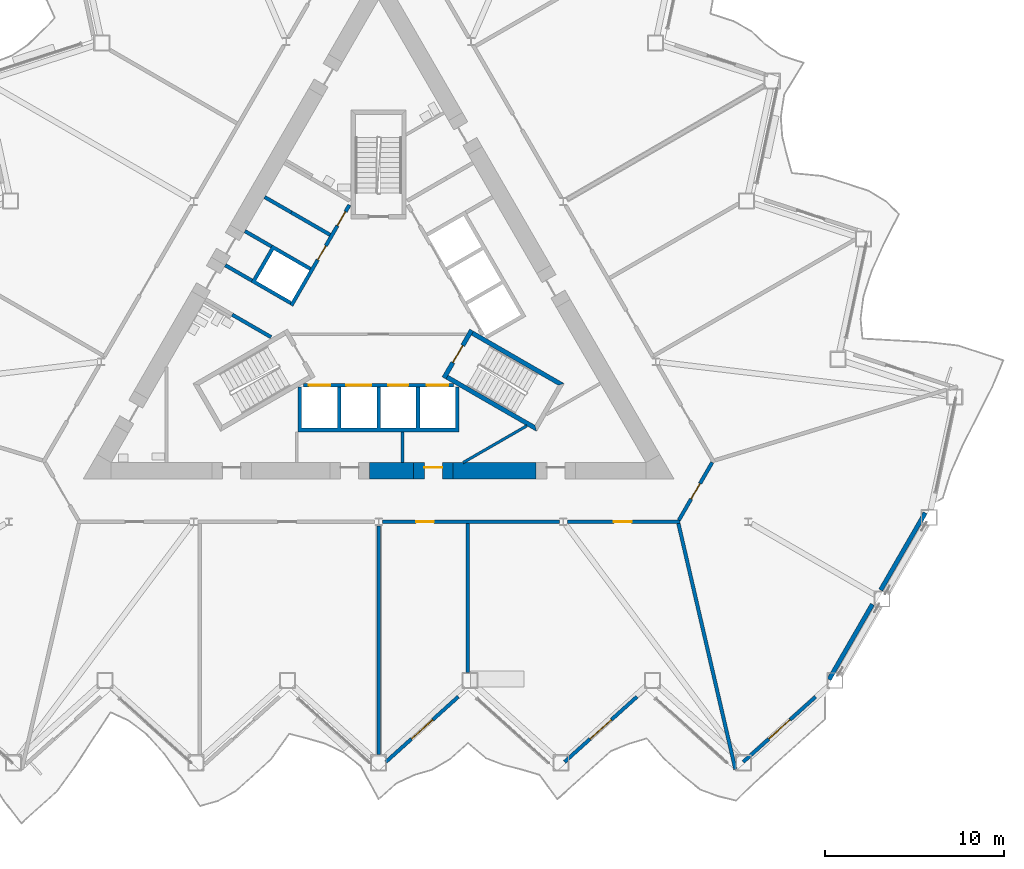
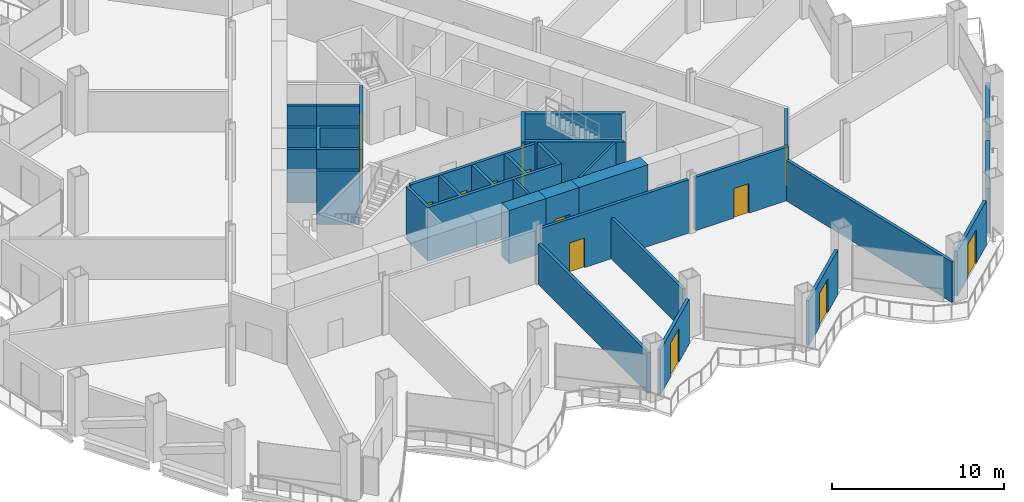
# One storey, part 11 of 21: 28 walls, 14 doors, 14 openings.
"""IFC4 building model written with IfcOpenShell, lengths in metres."""

from ifc_helpers import new_model, si_unit, direction, frame, frame_2d, origin, place, context, subcontext, project, spatial, polyline, rectangle, outline, extrude, material, layer, layer_set, type_object, element, fill, save


model = new_model("IFC4")

# Units and contexts
model_context = context("Model", 3, precision=1e-05, world=origin(), true_north=direction((0.0, 1.0)))
body_context = subcontext(model_context, "Body", "Model", "MODEL_VIEW")
ifc_project = project(units=[si_unit("LENGTHUNIT", "METRE"), si_unit("AREAUNIT", "SQUARE_METRE"), si_unit("VOLUMEUNIT", "CUBIC_METRE"), si_unit("PLANEANGLEUNIT", "RADIAN"), si_unit("MASSUNIT", "GRAM", prefix="KILO")], contexts=[model_context])

# Site, building, storey
site_placement = place(None, origin())
site = spatial("IfcSite", under=ifc_project, at=site_placement, CompositionType="ELEMENT")
building_placement = place(site_placement, origin())
building = spatial("IfcBuilding", under=site, at=building_placement, Name="Cormorant Prow Tower", CompositionType="ELEMENT")
storey_placement = place(building_placement, frame((0.0, 0.0, 103.800048828125)))
storey = spatial("IfcBuildingStorey", under=building, at=storey_placement, Name="L21", CompositionType="ELEMENT", Elevation=103.800048828125)

# Walls
ifc_material_1 = material(Name="Gypsum board partition")
ifc_layer_1 = layer(ifc_material_1, 0.14990234375)
ifc_layer_set_1 = layer_set([ifc_layer_1], Name="Gypsum board partition")
wall_type_1 = type_object("IfcWallType", Name="Core partition 150", PredefinedType="PARTITIONING", material=ifc_layer_set_1)
wall_1_placement = place(storey_placement, frame((1.33251953125, -8.626220703125, 0.0), z_axis=(0.0, 0.0, 1.0), x_axis=(0.0, 1.0, 0.0)))
element("IfcWall", 1, at=wall_1_placement, inside=storey, type_object=wall_type_1, Name="Service room partition", PredefinedType="PARTITIONING", context=body_context, shape_type="SweptSolid", body=[
    extrude(rectangle(XDim=1.72021484375, YDim=0.14990234375, at=frame_2d((0.860107421875, 0.0))), origin(), (0.0, 0.0, 1.0), 3.800048828125),
])
wall_2_placement = place(storey_placement, frame((8.284912109375, -6.566162109375, 0.0), z_axis=(0.0, 0.0, 1.0), x_axis=(-0.866039554287, -0.49997548981, 0.0)))
element("IfcWall", 2, at=wall_2_placement, inside=storey, type_object=wall_type_1, Name="Service room partition", PredefinedType="PARTITIONING", context=body_context, shape_type="SweptSolid", body=[
    extrude(rectangle(XDim=4.120361328125, YDim=0.14990234375, at=frame_2d((2.06005859375, 0.0))), origin(), (0.0, 0.0, 1.0), 3.800048828125),
])
ifc_material_2 = material(Name="Concrete 8000 psi", Category="concrete")
ifc_layer_2 = layer(ifc_material_2, 0.89990234375)
ifc_layer_set_2 = layer_set([ifc_layer_2], Name="Concrete 8000 psi")
wall_type_2 = type_object("IfcWallType", Name="Core shear wall 900", PredefinedType="SHEAR", material=ifc_layer_set_2)
wall_3_placement = place(storey_placement, frame((4.162109375, -9.076416015625, 0.0), z_axis=(0.0, 0.0, 1.0), x_axis=(1.0, 0.0, 0.0)))
element("IfcWall", 3, at=wall_3_placement, inside=storey, type_object=wall_type_2, Name="Core wall", PredefinedType="SHEAR", context=body_context, shape_type="SweptSolid", body=[
    extrude(rectangle(XDim=4.641845703125, YDim=0.89990234375, at=frame_2d((2.32080078125, 0.0))), origin(), (0.0, 0.0, 1.0), 3.800048828125),
])
wall_4_placement = place(storey_placement, frame((-0.521240234375, -9.076416015625, 0.0), z_axis=(0.0, 0.0, 1.0), x_axis=(1.0, 0.0, 0.0)))
element("IfcWall", 4, at=wall_4_placement, inside=storey, type_object=wall_type_2, Name="Core wall", PredefinedType="SHEAR", context=body_context, shape_type="SweptSolid", body=[
    extrude(rectangle(XDim=2.483154296875, YDim=0.89990234375, at=frame_2d((1.24169921875, 0.0))), origin(), (0.0, 0.0, 1.0), 3.800048828125),
])

# Wall, opening, door
wall_5_placement = place(storey_placement, frame((1.9619140625, -9.076416015625, 0.0), z_axis=(0.0, 0.0, 1.0), x_axis=(1.0, 0.0, 0.0)))
wall_5 = element("IfcWall", 5, at=wall_5_placement, inside=storey, type_object=wall_type_2, Name="Core wall door panel", PredefinedType="SHEAR", context=body_context, shape_type="SweptSolid", body=[
    extrude(rectangle(XDim=2.2001953125, YDim=0.89990234375, at=frame_2d((1.10009765625, 0.0))), origin(), (0.0, 0.0, 1.0), 3.800048828125),
])
opening_1_placement = place(wall_5_placement, frame((0.60009765625, 0.0, 0.0)))
opening_1 = element("IfcOpeningElement", 6, at=opening_1_placement, cuts=wall_5, Name="Opening L21-C17", PredefinedType="OPENING", context=body_context, shape_type="SweptSolid", body=[
    extrude(rectangle(XDim=1.0, YDim=2.10009765625, at=frame_2d((0.5, 1.050048828125))), frame((0.0, 0.4599609375, 0.0), z_axis=(0.0, -1.0, 0.0), x_axis=(1.0, 0.0, 0.0)), (0.0, 0.0, 1.0), 0.919921875),
])
ifc_material_3 = material(Name="Painted steel", Category="steel")
door_type_1 = type_object("IfcDoorType", Name="Service door 1000x2100", OperationType="NOTDEFINED", PredefinedType="DOOR", material=ifc_material_3)
door_1_placement = place(opening_1_placement, origin())
door_1 = element("IfcDoor", 7, at=door_1_placement, inside=storey, type_object=door_type_1, Name="Core door, Electrical room", OperationType="SINGLE_SWING_LEFT", OverallHeight=2.10009765625, OverallWidth=1.0, PredefinedType="DOOR", context=body_context, shape_type="SweptSolid", body=[
    extrude(rectangle(XDim=1.0, YDim=2.10009765625, at=frame_2d((0.5, 1.050048828125))), frame((0.0, 0.205078125, 0.0), z_axis=(0.0, -1.0, 0.0), x_axis=(1.0, 0.0, 0.0)), (0.0, 0.0, 1.0), 0.050048828125),
])
fill(opening_1, door_1)

ifc_material_4 = material(Name="Gypsum board corridor wall")
ifc_layer_3 = layer(ifc_material_4, 0.199951171875)
ifc_layer_set_3 = layer_set([ifc_layer_3], Name="Gypsum board corridor wall")
wall_type_3 = type_object("IfcWallType", Name="Corridor wall 200", PredefinedType="PARTITIONING", material=ifc_layer_set_3)
wall_6_placement = place(storey_placement, frame((0.227294921875, -11.92626953125, 0.0), z_axis=(0.0, 0.0, 1.0), x_axis=(1.0, 0.0, 0.0)))
wall_6 = element("IfcWall", 8, at=wall_6_placement, inside=storey, type_object=wall_type_3, Name="Corridor wall", PredefinedType="PARTITIONING", context=body_context, shape_type="SweptSolid", body=[
    extrude(rectangle(XDim=9.873779296875, YDim=0.199951171875, at=frame_2d((4.93701171875, 0.0))), origin(), (0.0, 0.0, 1.0), 3.800048828125),
])
opening_2_placement = place(wall_6_placement, frame((1.8642578125, 0.0, 0.0)))
opening_2 = element("IfcOpeningElement", 9, at=opening_2_placement, cuts=wall_6, Name="Opening L21-F03", PredefinedType="OPENING", context=body_context, shape_type="SweptSolid", body=[
    extrude(rectangle(XDim=1.0, YDim=2.10009765625, at=frame_2d((0.5, 1.050048828125))), frame((0.0, 0.10986328125, 0.0), z_axis=(0.0, -1.0, 0.0), x_axis=(1.0, 0.0, 0.0)), (0.0, 0.0, 1.0), 0.219970703125),
])
ifc_material_5 = material(Name="Timber door leaf", Category="wood")
door_type_2 = type_object("IfcDoorType", Name="Office door 1000x2100", OperationType="NOTDEFINED", PredefinedType="DOOR", material=ifc_material_5)
door_2_placement = place(opening_2_placement, origin())
door_2 = element("IfcDoor", 10, at=door_2_placement, inside=storey, type_object=door_type_2, Name="Private office door", OperationType="SINGLE_SWING_RIGHT", OverallHeight=2.10009765625, OverallWidth=1.0, PredefinedType="DOOR", context=body_context, shape_type="SweptSolid", body=[
    extrude(rectangle(XDim=1.0, YDim=2.10009765625, at=frame_2d((0.5, 1.050048828125))), frame((0.0, 0.02490234375, 0.0), z_axis=(0.0, -1.0, 0.0), x_axis=(1.0, 0.0, 0.0)), (0.0, 0.0, 1.0), 0.050048828125),
])
fill(opening_2, door_2)

wall_7_placement = place(storey_placement, frame((10.555908203125, -11.92626953125, 0.0), z_axis=(0.0, 0.0, 1.0), x_axis=(1.0, 0.0, 0.0)))
wall_7 = element("IfcWall", 11, at=wall_7_placement, inside=storey, type_object=wall_type_3, Name="Corridor wall", PredefinedType="PARTITIONING", context=body_context, shape_type="SweptSolid", body=[
    extrude(rectangle(XDim=6.27490234375, YDim=0.199951171875, at=frame_2d((3.137451171875, 0.0))), origin(), (0.0, 0.0, 1.0), 3.800048828125),
])
opening_3_placement = place(wall_7_placement, frame((2.586669921875, 0.0, 0.0)))
opening_3 = element("IfcOpeningElement", 12, at=opening_3_placement, cuts=wall_7, Name="Opening L21-F04", PredefinedType="OPENING", context=body_context, shape_type="SweptSolid", body=[
    extrude(rectangle(XDim=1.0, YDim=2.10009765625, at=frame_2d((0.5, 1.050048828125))), frame((0.0, 0.10986328125, 0.0), z_axis=(0.0, -1.0, 0.0), x_axis=(1.0, 0.0, 0.0)), (0.0, 0.0, 1.0), 0.219970703125),
])
door_3_placement = place(opening_3_placement, origin())
door_3 = element("IfcDoor", 13, at=door_3_placement, inside=storey, type_object=door_type_2, Name="Tenant reception door", OperationType="SINGLE_SWING_LEFT", OverallHeight=2.10009765625, OverallWidth=1.0, PredefinedType="DOOR", context=body_context, shape_type="SweptSolid", body=[
    extrude(rectangle(XDim=1.0, YDim=2.10009765625, at=frame_2d((0.5, 1.050048828125))), frame((0.0, 0.02490234375, 0.0), z_axis=(0.0, -1.0, 0.0), x_axis=(1.0, 0.0, 0.0)), (0.0, 0.0, 1.0), 0.050048828125),
])
fill(opening_3, door_3)

wall_8_placement = place(storey_placement, frame((16.781005859375, -11.839599609375, 0.0), z_axis=(0.0, 0.0, 1.0), x_axis=(0.499958791762, 0.866049194065, 0.0)))
wall_8 = element("IfcWall", 14, at=wall_8_placement, inside=storey, type_object=wall_type_3, Name="Corridor wall", PredefinedType="PARTITIONING", context=body_context, shape_type="SweptSolid", body=[
    extrude(rectangle(XDim=3.725830078125, YDim=0.199951171875, at=frame_2d((1.86279296875, 0.0))), origin(), (0.0, 0.0, 1.0), 3.800048828125),
])
opening_4_placement = place(wall_8_placement, frame((1.363037109375, 0.0, 0.0)))
opening_4 = element("IfcOpeningElement", 15, at=opening_4_placement, cuts=wall_8, Name="Opening L21-F05", PredefinedType="OPENING", context=body_context, shape_type="SweptSolid", body=[
    extrude(rectangle(XDim=1.0, YDim=2.10009765625, at=frame_2d((0.5, 1.050048828125))), frame((0.0, 0.10986328125, 0.0), z_axis=(0.0, -1.0, 0.0), x_axis=(1.0, 0.0, 0.0)), (0.0, 0.0, 1.0), 0.219970703125),
])
door_4_placement = place(opening_4_placement, origin())
door_4 = element("IfcDoor", 16, at=door_4_placement, inside=storey, type_object=door_type_2, Name="Tenant suite door", OperationType="SINGLE_SWING_LEFT", OverallHeight=2.10009765625, OverallWidth=1.0, PredefinedType="DOOR", context=body_context, shape_type="SweptSolid", body=[
    extrude(rectangle(XDim=1.0, YDim=2.10009765625, at=frame_2d((0.5, 1.050048828125))), frame((0.0, 0.02490234375, 0.0), z_axis=(0.0, -1.0, 0.0), x_axis=(1.0, 0.0, 0.0)), (0.0, 0.0, 1.0), 0.050048828125),
])
fill(opening_4, door_4)

# Walls
ifc_material_6 = material(Name="Gypsum board demising wall")
ifc_layer_4 = layer(ifc_material_6, 0.199951171875)
ifc_layer_set_4 = layer_set([ifc_layer_4], Name="Gypsum board demising wall")
wall_type_4 = type_object("IfcWallType", Name="Demising wall 200", PredefinedType="PARTITIONING", material=ifc_layer_set_4)
wall_9_placement = place(storey_placement, frame((16.75341796875, -12.023681640625, 0.0), z_axis=(0.0, 0.0, 1.0), x_axis=(0.225854066841, -0.974161147086, 0.0)))
element("IfcWall", 17, at=wall_9_placement, inside=storey, type_object=wall_type_4, Name="Demising wall", PredefinedType="PARTITIONING", context=body_context, shape_type="SweptSolid", body=[
    extrude(rectangle(XDim=14.107666015625, YDim=0.199951171875, at=frame_2d((7.0537109375, 0.0))), origin(), (0.0, 0.0, 1.0), 2.88525390625),
])
wall_10_placement = place(storey_placement, frame((0.0, -24.939208984375, 0.0), z_axis=(0.0, 0.0, 1.0), x_axis=(0.0, 1.0, 0.0)))
element("IfcWall", 18, at=wall_10_placement, inside=storey, type_object=wall_type_4, Name="Demising wall", PredefinedType="PARTITIONING", context=body_context, shape_type="SweptSolid", body=[
    extrude(rectangle(XDim=12.785400390625, YDim=0.199951171875, at=frame_2d((6.392578125, 0.0))), origin(), (0.0, 0.0, 1.0), 2.88525390625),
])
wall_11_placement = place(storey_placement, frame((4.99267578125, -20.34716796875, 0.0), z_axis=(0.0, 0.0, 1.0), x_axis=(0.0, 1.0, 0.0)))
element("IfcWall", 19, at=wall_11_placement, inside=storey, type_object=wall_type_4, Name="Demising wall", PredefinedType="PARTITIONING", context=body_context, shape_type="SweptSolid", body=[
    extrude(rectangle(XDim=8.32080078125, YDim=0.199951171875, at=frame_2d((4.160400390625, 0.0))), origin(), (0.0, 0.0, 1.0), 2.88525390625),
])

# Wall, openings, doors
ifc_material_7 = material(Name="Concrete 5000 psi", Category="concrete")
ifc_layer_5 = layer(ifc_material_7, 0.199951171875)
ifc_layer_set_5 = layer_set([ifc_layer_5], Name="Concrete 5000 psi")
wall_type_5 = type_object("IfcWallType", Name="Lift lobby wall 200", PredefinedType="SOLIDWALL", material=ifc_layer_set_5)
wall_12_placement = place(storey_placement, frame((-4.1865234375, -4.300048828125, 0.0), z_axis=(0.0, 0.0, 1.0), x_axis=(1.0, 0.0, 0.0)))
wall_12 = element("IfcWall", 20, at=wall_12_placement, inside=storey, type_object=wall_type_5, Name="Lift lobby wall, S block", PredefinedType="SOLIDWALL", context=body_context, shape_type="SweptSolid", body=[
    extrude(rectangle(XDim=8.373046875, YDim=0.199951171875, at=frame_2d((4.1865234375, 0.0))), origin(), (0.0, 0.0, 1.0), 3.800048828125),
])
opening_5_placement = place(wall_12_placement, frame((0.28662109375, 0.0, 0.0)))
opening_5 = element("IfcOpeningElement", 21, at=opening_5_placement, cuts=wall_12, Name="Opening L21-C01", PredefinedType="OPENING", context=body_context, shape_type="SweptSolid", body=[
    extrude(rectangle(XDim=1.199951171875, YDim=2.10009765625, at=frame_2d((0.60009765625, 1.050048828125))), frame((0.0, 0.10986328125, 0.0), z_axis=(0.0, -1.0, 0.0), x_axis=(1.0, 0.0, 0.0)), (0.0, 0.0, 1.0), 0.219970703125),
])
opening_6_placement = place(wall_12_placement, frame((2.38671875, 0.0, 0.0)))
opening_6 = element("IfcOpeningElement", 22, at=opening_6_placement, cuts=wall_12, Name="Opening L21-C02", PredefinedType="OPENING", context=body_context, shape_type="SweptSolid", body=[
    extrude(rectangle(XDim=1.39990234375, YDim=2.10009765625, at=frame_2d((0.699951171875, 1.050048828125))), frame((0.0, 0.10986328125, 0.0), z_axis=(0.0, -1.0, 0.0), x_axis=(1.0, 0.0, 0.0)), (0.0, 0.0, 1.0), 0.219970703125),
])
opening_7_placement = place(wall_12_placement, frame((4.736572265625, 0.0, 0.0)))
opening_7 = element("IfcOpeningElement", 23, at=opening_7_placement, cuts=wall_12, Name="Opening L21-C03", PredefinedType="OPENING", context=body_context, shape_type="SweptSolid", body=[
    extrude(rectangle(XDim=1.10009765625, YDim=2.10009765625, at=frame_2d((0.550048828125, 1.050048828125))), frame((0.0, 0.10986328125, 0.0), z_axis=(0.0, -1.0, 0.0), x_axis=(1.0, 0.0, 0.0)), (0.0, 0.0, 1.0), 0.219970703125),
])
opening_8_placement = place(wall_12_placement, frame((6.88671875, 0.0, 0.0)))
opening_8 = element("IfcOpeningElement", 24, at=opening_8_placement, cuts=wall_12, Name="Opening L21-C04", PredefinedType="OPENING", context=body_context, shape_type="SweptSolid", body=[
    extrude(rectangle(XDim=1.199951171875, YDim=2.10009765625, at=frame_2d((0.60009765625, 1.050048828125))), frame((0.0, 0.10986328125, 0.0), z_axis=(0.0, -1.0, 0.0), x_axis=(1.0, 0.0, 0.0)), (0.0, 0.0, 1.0), 0.219970703125),
])
ifc_material_8 = material(Name="Painted steel", Category="steel")
door_type_3 = type_object("IfcDoorType", Name="Firefighting lift landing door 1200x2100", OperationType="SLIDING_TO_LEFT", PredefinedType="DOOR", material=ifc_material_8)
door_5_placement = place(opening_5_placement, origin())
door_5 = element("IfcDoor", 25, at=door_5_placement, inside=storey, type_object=door_type_3, Name="Landing door FL1", OperationType="SLIDING_TO_LEFT", OverallHeight=2.10009765625, OverallWidth=1.199951171875, PredefinedType="DOOR", context=body_context, shape_type="SweptSolid", body=[
    extrude(rectangle(XDim=1.199951171875, YDim=2.10009765625, at=frame_2d((0.60009765625, 1.050048828125))), frame((0.0, 0.02490234375, 0.0), z_axis=(0.0, -1.0, 0.0), x_axis=(1.0, 0.0, 0.0)), (0.0, 0.0, 1.0), 0.050048828125),
])
fill(opening_5, door_5)
door_6_placement = place(opening_8_placement, origin())
door_6 = element("IfcDoor", 26, at=door_6_placement, inside=storey, type_object=door_type_3, Name="Landing door FL2", OperationType="SLIDING_TO_LEFT", OverallHeight=2.10009765625, OverallWidth=1.199951171875, PredefinedType="DOOR", context=body_context, shape_type="SweptSolid", body=[
    extrude(rectangle(XDim=1.199951171875, YDim=2.10009765625, at=frame_2d((0.60009765625, 1.050048828125))), frame((0.0, 0.02490234375, 0.0), z_axis=(0.0, -1.0, 0.0), x_axis=(1.0, 0.0, 0.0)), (0.0, 0.0, 1.0), 0.050048828125),
])
fill(opening_8, door_6)
ifc_material_9 = material(Name="Painted steel", Category="steel")
door_type_4 = type_object("IfcDoorType", Name="Lift landing door 1100x2100", OperationType="SLIDING_TO_LEFT", PredefinedType="DOOR", material=ifc_material_9)
door_7_placement = place(opening_7_placement, origin())
door_7 = element("IfcDoor", 27, at=door_7_placement, inside=storey, type_object=door_type_4, Name="Landing door LR1", OperationType="SLIDING_TO_LEFT", OverallHeight=2.10009765625, OverallWidth=1.10009765625, PredefinedType="DOOR", context=body_context, shape_type="SweptSolid", body=[
    extrude(rectangle(XDim=1.10009765625, YDim=2.10009765625, at=frame_2d((0.550048828125, 1.050048828125))), frame((0.0, 0.02490234375, 0.0), z_axis=(0.0, -1.0, 0.0), x_axis=(1.0, 0.0, 0.0)), (0.0, 0.0, 1.0), 0.050048828125),
])
fill(opening_7, door_7)
ifc_material_10 = material(Name="Painted steel", Category="steel")
door_type_5 = type_object("IfcDoorType", Name="Service lift landing door 1400x2100", OperationType="SLIDING_TO_LEFT", PredefinedType="DOOR", material=ifc_material_10)
door_8_placement = place(opening_6_placement, origin())
door_8 = element("IfcDoor", 28, at=door_8_placement, inside=storey, type_object=door_type_5, Name="Landing door SL1", OperationType="SLIDING_TO_LEFT", OverallHeight=2.10009765625, OverallWidth=1.39990234375, PredefinedType="DOOR", context=body_context, shape_type="SweptSolid", body=[
    extrude(rectangle(XDim=1.39990234375, YDim=2.10009765625, at=frame_2d((0.699951171875, 1.050048828125))), frame((0.0, 0.02490234375, 0.0), z_axis=(0.0, -1.0, 0.0), x_axis=(1.0, 0.0, 0.0)), (0.0, 0.0, 1.0), 0.050048828125),
])
fill(opening_6, door_8)

wall_13_placement = place(storey_placement, frame((-1.630615234375, 5.775634765625, 0.0), z_axis=(0.0, 0.0, 1.0), x_axis=(-0.499992876559, -0.866029516466, 0.0)))
wall_13 = element("IfcWall", 29, at=wall_13_placement, inside=storey, type_object=wall_type_5, Name="Lift lobby wall, WNW block", PredefinedType="SOLIDWALL", context=body_context, shape_type="SweptSolid", body=[
    extrude(rectangle(XDim=6.486328125, YDim=0.199951171875, at=frame_2d((3.2431640625, 0.0))), origin(), (0.0, 0.0, 1.0), 3.800048828125),
])
opening_9_placement = place(wall_13_placement, frame((0.4365234375, 0.0, 0.0)))
opening_9 = element("IfcOpeningElement", 30, at=opening_9_placement, cuts=wall_13, Name="Opening L21-C09", PredefinedType="OPENING", context=body_context, shape_type="SweptSolid", body=[
    extrude(rectangle(XDim=0.89990234375, YDim=2.10009765625, at=frame_2d((0.449951171875, 1.050048828125))), frame((0.0, 0.10986328125, 0.0), z_axis=(0.0, -1.0, 0.0), x_axis=(1.0, 0.0, 0.0)), (0.0, 0.0, 1.0), 0.219970703125),
])
opening_10_placement = place(wall_13_placement, frame((2.63671875, 0.0, 0.0)))
opening_10 = element("IfcOpeningElement", 31, at=opening_10_placement, cuts=wall_13, Name="Opening L21-C10", PredefinedType="OPENING", context=body_context, shape_type="SweptSolid", body=[
    extrude(rectangle(XDim=0.89990234375, YDim=2.10009765625, at=frame_2d((0.449951171875, 1.050048828125))), frame((0.0, 0.10986328125, 0.0), z_axis=(0.0, -1.0, 0.0), x_axis=(1.0, 0.0, 0.0)), (0.0, 0.0, 1.0), 0.219970703125),
])
ifc_material_11 = material(Name="Painted steel", Category="steel")
door_type_6 = type_object("IfcDoorType", Name="Service door 900x2100", OperationType="NOTDEFINED", PredefinedType="DOOR", material=ifc_material_11)
door_9_placement = place(opening_9_placement, origin())
door_9 = element("IfcDoor", 32, at=door_9_placement, inside=storey, type_object=door_type_6, Name="Service door, Telecom room", OperationType="SINGLE_SWING_LEFT", OverallHeight=2.10009765625, OverallWidth=0.89990234375, PredefinedType="DOOR", context=body_context, shape_type="SweptSolid", body=[
    extrude(rectangle(XDim=0.89990234375, YDim=2.10009765625, at=frame_2d((0.449951171875, 1.050048828125))), frame((0.0, 0.02490234375, 0.0), z_axis=(0.0, -1.0, 0.0), x_axis=(1.0, 0.0, 0.0)), (0.0, 0.0, 1.0), 0.050048828125),
])
fill(opening_9, door_9)
door_10_placement = place(opening_10_placement, origin())
door_10 = element("IfcDoor", 33, at=door_10_placement, inside=storey, type_object=door_type_6, Name="Service door, Housekeeping store", OperationType="SINGLE_SWING_RIGHT", OverallHeight=2.10009765625, OverallWidth=0.89990234375, PredefinedType="DOOR", context=body_context, shape_type="SweptSolid", body=[
    extrude(rectangle(XDim=0.89990234375, YDim=2.10009765625, at=frame_2d((0.449951171875, 1.050048828125))), frame((0.0, 0.02490234375, 0.0), z_axis=(0.0, -1.0, 0.0), x_axis=(1.0, 0.0, 0.0)), (0.0, 0.0, 1.0), 0.050048828125),
])
fill(opening_10, door_10)

# Walls
ifc_material_12 = material(Name="Concrete 8000 psi", Category="concrete")
ifc_layer_6 = layer(ifc_material_12, 0.199951171875)
ifc_layer_set_6 = layer_set([ifc_layer_6], Name="Concrete 8000 psi")
wall_type_6 = type_object("IfcWallType", Name="Lift shaft wall 200", PredefinedType="SHEAR", material=ifc_layer_set_6)
wall_14_placement = place(storey_placement, origin())
element("IfcWall", 34, at=wall_14_placement, inside=storey, type_object=wall_type_6, Name="Lift shaft walls, S block", PredefinedType="SHEAR", context=body_context, shape_type="SweptSolid", body=[
    extrude(outline(polyline([(4.5, -4.39990234375), (4.5, -6.906005859375), (-4.5, -6.906005859375), (-4.5, -4.39990234375), (-4.300048828125, -4.39990234375), (-4.300048828125, -6.699951171875), (-2.300048828125, -6.699951171875), (-2.300048828125, -4.39990234375), (-2.10009765625, -4.39990234375), (-2.10009765625, -6.699951171875), (-0.10009765625, -6.699951171875), (-0.10009765625, -4.39990234375), (0.10009765625, -4.39990234375), (0.10009765625, -6.699951171875), (2.10009765625, -6.699951171875), (2.10009765625, -4.39990234375), (2.300048828125, -4.39990234375), (2.300048828125, -6.699951171875), (4.300048828125, -6.699951171875), (4.300048828125, -4.39990234375), (4.5, -4.39990234375)])), origin(), (0.0, 0.0, 1.0), 3.800048828125),
])
wall_15_placement = place(storey_placement, origin())
element("IfcWall", 35, at=wall_15_placement, inside=storey, type_object=wall_type_6, Name="Lift shaft walls, WNW block", PredefinedType="SHEAR", context=body_context, shape_type="SweptSolid", body=[
    extrude(outline(polyline([(-6.060546875, -1.697021484375), (-8.230712890625, -0.444091796875), (-8.130859375, -0.27099609375), (-5.96044921875, -1.52392578125), (-6.060546875, -1.697021484375)])), origin(), (0.0, 0.0, 1.0), 3.800048828125),
])
wall_16_placement = place(storey_placement, origin())
element("IfcWall", 36, at=wall_16_placement, inside=storey, type_object=wall_type_6, Name="Lift shaft walls, WNW block", PredefinedType="SHEAR", context=body_context, shape_type="SweptSolid", body=[
    extrude(outline(polyline([(-4.96044921875, 0.2080078125), (-7.130859375, 1.461181640625), (-5.930908203125, 3.53955078125), (-3.760498046875, 2.28662109375), (-3.860595703125, 2.11328125), (-5.852294921875, 3.263427734375), (-6.852294921875, 1.53125), (-4.860595703125, 0.38134765625), (-4.96044921875, 0.2080078125)])), origin(), (0.0, 0.0, 1.0), 3.800048828125),
])
wall_17_placement = place(storey_placement, origin())
element("IfcWall", 37, at=wall_17_placement, inside=storey, type_object=wall_type_6, Name="Lift shaft walls, WNW block", PredefinedType="SHEAR", context=body_context, shape_type="SweptSolid", body=[
    extrude(outline(polyline([(-2.760498046875, 4.018798828125), (-4.930908203125, 5.271728515625), (-4.830810546875, 5.44482421875), (-2.660400390625, 4.19189453125), (-2.760498046875, 4.018798828125)])), origin(), (0.0, 0.0, 1.0), 3.800048828125),
])
wall_18_placement = place(storey_placement, frame((-4.880859375, 5.3583984375, 0.0), z_axis=(0.0, 0.0, 1.0), x_axis=(-0.866024871741, 0.500000921525, 0.0)))
element("IfcWall", 38, at=wall_18_placement, inside=storey, type_object=wall_type_6, Name="Store side wall", PredefinedType="SHEAR", context=body_context, shape_type="SweptSolid", body=[
    extrude(rectangle(XDim=1.72021484375, YDim=0.199951171875, at=frame_2d((0.860107421875, 0.0))), origin(), (0.0, 0.0, 1.0), 3.800048828125),
])
wall_19_placement = place(storey_placement, frame((-5.980712890625, 3.452880859375, 0.0), z_axis=(0.0, 0.0, 1.0), x_axis=(-0.866060346521, 0.499939472521, 0.0)))
element("IfcWall", 39, at=wall_19_placement, inside=storey, type_object=wall_type_6, Name="Store side wall", PredefinedType="SHEAR", context=body_context, shape_type="SweptSolid", body=[
    extrude(rectangle(XDim=1.720458984375, YDim=0.199951171875, at=frame_2d((0.8603515625, 0.0))), origin(), (0.0, 0.0, 1.0), 3.800048828125),
])
wall_20_placement = place(storey_placement, frame((-7.080810546875, 1.547607421875, 0.0), z_axis=(0.0, 0.0, 1.0), x_axis=(-0.865963414263, 0.500107353632, 0.0)))
element("IfcWall", 40, at=wall_20_placement, inside=storey, type_object=wall_type_6, Name="Lobby passage wall", PredefinedType="SHEAR", context=body_context, shape_type="SweptSolid", body=[
    extrude(rectangle(XDim=1.72021484375, YDim=0.199951171875, at=frame_2d((0.860107421875, 0.0))), origin(), (0.0, 0.0, 1.0), 3.800048828125),
])
ifc_material_13 = material(Name="Concrete 8000 psi", Category="concrete")
ifc_layer_7 = layer(ifc_material_13, 0.25)
ifc_layer_set_7 = layer_set([ifc_layer_7], Name="Concrete 8000 psi")
wall_type_7 = type_object("IfcWallType", Name="Stair wall 250", PredefinedType="SHEAR", material=ifc_layer_set_7)
wall_21_placement = place(storey_placement, origin())
element("IfcWall", 41, at=wall_21_placement, inside=storey, type_object=wall_type_7, Name="Stair ST2 enclosure wall (flank)", PredefinedType="SHEAR", context=body_context, shape_type="SweptSolid", body=[
    extrude(outline(polyline([(3.76318359375, -3.95556640625), (8.82958984375, -6.880615234375), (8.738037109375, -6.5390625), (3.88818359375, -3.739013671875), (3.76318359375, -3.95556640625)])), origin(), (0.0, 0.0, 1.0), 3.800048828125),
])
wall_22_placement = place(storey_placement, origin())
element("IfcWall", 42, at=wall_22_placement, inside=storey, type_object=wall_type_7, Name="Stair ST2 enclosure wall (flank)", PredefinedType="SHEAR", context=body_context, shape_type="SweptSolid", body=[
    extrude(outline(polyline([(10.031982421875, -4.2978515625), (10.37353515625, -4.206298828125), (5.30712890625, -1.28125), (5.18212890625, -1.497802734375), (10.031982421875, -4.2978515625)])), origin(), (0.0, 0.0, 1.0), 3.800048828125),
])

# Wall, opening, door
wall_23_placement = place(storey_placement, frame((3.655029296875, -3.89306640625, 0.0), z_axis=(0.0, 0.0, 1.0), x_axis=(0.499982516597, 0.866035497597, 0.0)))
wall_23 = element("IfcWall", 43, at=wall_23_placement, inside=storey, type_object=wall_type_7, Name="Stair ST2 door wall", PredefinedType="SHEAR", context=body_context, shape_type="SweptSolid", body=[
    extrude(rectangle(XDim=3.087890625, YDim=0.25, at=frame_2d((1.5439453125, 0.0))), origin(), (0.0, 0.0, 1.0), 3.800048828125),
])
opening_11_placement = place(wall_23_placement, frame((0.993896484375, 0.0, 0.0)))
opening_11 = element("IfcOpeningElement", 44, at=opening_11_placement, cuts=wall_23, Name="Opening L21-C13", PredefinedType="OPENING", context=body_context, shape_type="SweptSolid", body=[
    extrude(rectangle(XDim=1.10009765625, YDim=2.10009765625, at=frame_2d((0.550048828125, 1.050048828125))), frame((0.0, 0.135009765625, 0.0), z_axis=(0.0, -1.0, 0.0), x_axis=(1.0, 0.0, 0.0)), (0.0, 0.0, 1.0), 0.27001953125),
])
ifc_material_14 = material(Name="Painted steel", Category="steel")
door_type_7 = type_object("IfcDoorType", Name="Stair door 1100x2100", OperationType="NOTDEFINED", PredefinedType="DOOR", material=ifc_material_14)
door_11_placement = place(opening_11_placement, origin())
door_11 = element("IfcDoor", 45, at=door_11_placement, inside=storey, type_object=door_type_7, Name="Stair ST2 door", OperationType="SINGLE_SWING_RIGHT", OverallHeight=2.10009765625, OverallWidth=1.10009765625, PredefinedType="DOOR", context=body_context, shape_type="SweptSolid", body=[
    extrude(rectangle(XDim=1.10009765625, YDim=2.10009765625, at=frame_2d((0.550048828125, 1.050048828125))), frame((0.0, 0.02490234375, 0.0), z_axis=(0.0, -1.0, 0.0), x_axis=(1.0, 0.0, 0.0)), (0.0, 0.0, 1.0), 0.050048828125),
])
fill(opening_11, door_11)

# Walls
ifc_material_15 = material(Name="Terracotta", Category="masonry")
ifc_layer_8 = layer(ifc_material_15, 0.25)
ifc_layer_set_8 = layer_set([ifc_layer_8], Name="Terracotta")
wall_type_8 = type_object("IfcWallType", Name="Terracotta bay wall 250", PredefinedType="SOLIDWALL", material=ifc_layer_set_8)
wall_24_placement = place(storey_placement, frame((25.173095703125, -20.74169921875, 0.0), z_axis=(0.0, 0.0, 1.0), x_axis=(0.499994084299, 0.866028819189, 0.0)))
element("IfcWall", 46, at=wall_24_placement, inside=storey, type_object=wall_type_8, Name="Terracotta bay wall ESE00", PredefinedType="SOLIDWALL", context=body_context, shape_type="SweptSolid", body=[
    extrude(rectangle(XDim=4.849609375, YDim=0.25, at=frame_2d((2.4248046875, 0.0))), origin(), (0.0, 0.0, 1.0), 3.18896484375),
])
wall_25_placement = place(storey_placement, frame((28.058837890625, -15.743408203125, 0.0), z_axis=(0.0, 0.0, 1.0), x_axis=(0.499992577793, 0.866029688955, 0.0)))
element("IfcWall", 47, at=wall_25_placement, inside=storey, type_object=wall_type_8, Name="Terracotta bay wall ESE01", PredefinedType="SOLIDWALL", context=body_context, shape_type="SweptSolid", body=[
    extrude(rectangle(XDim=4.98095703125, YDim=0.25, at=frame_2d((2.490478515625, 0.0))), origin(), (0.0, 0.0, 1.0), 3.18896484375),
])

# Wall, opening, door
ifc_material_16 = material(Name="Terracotta", Category="masonry")
ifc_layer_9 = layer(ifc_material_16, 0.199951171875)
ifc_layer_set_9 = layer_set([ifc_layer_9], Name="Terracotta")
wall_type_9 = type_object("IfcWallType", Name="Terracotta jamb wall 200", PredefinedType="SOLIDWALL", material=ifc_layer_set_9)
wall_26_placement = place(storey_placement, frame((0.40576171875, -25.3505859375, 0.0), z_axis=(0.0, 0.0, 1.0), x_axis=(0.74314255731, 0.669133125405, 0.0)))
wall_26 = element("IfcWall", 48, at=wall_26_placement, inside=storey, type_object=wall_type_9, Name="Terracotta jamb wall S05", PredefinedType="SOLIDWALL", context=body_context, shape_type="SweptSolid", body=[
    extrude(rectangle(XDim=5.4462890625, YDim=0.199951171875, at=frame_2d((2.72314453125, 0.0))), origin(), (0.0, 0.0, 1.0), 3.18896484375),
])
opening_12_placement = place(wall_26_placement, frame((1.923095703125, 0.0, 0.0)))
opening_12 = element("IfcOpeningElement", 49, at=opening_12_placement, cuts=wall_26, Name="Opening ED21.03", PredefinedType="OPENING", context=body_context, shape_type="SweptSolid", body=[
    extrude(rectangle(XDim=1.60009765625, YDim=2.39990234375, at=frame_2d((0.800048828125, 1.199951171875))), frame((0.0, 0.10986328125, 0.0), z_axis=(0.0, -1.0, 0.0), x_axis=(1.0, 0.0, 0.0)), (0.0, 0.0, 1.0), 0.219970703125),
])
ifc_material_17 = material(Name="Aluminium 6063-T6", Category="aluminium")
door_type_8 = type_object("IfcDoorType", Name="Balcony door 1600x2400", OperationType="DOUBLE_DOOR_SINGLE_SWING", PredefinedType="DOOR", material=ifc_material_17)
door_12_placement = place(opening_12_placement, origin())
door_12 = element("IfcDoor", 50, at=door_12_placement, inside=storey, type_object=door_type_8, Name="Balcony door S05 ED21.03", OperationType="DOUBLE_DOOR_SINGLE_SWING", OverallHeight=2.39990234375, OverallWidth=1.60009765625, PredefinedType="DOOR", context=body_context, shape_type="SweptSolid", body=[
    extrude(rectangle(XDim=1.60009765625, YDim=2.39990234375, at=frame_2d((0.800048828125, 1.199951171875))), frame((0.0, 0.02490234375, 0.0), z_axis=(0.0, -1.0, 0.0), x_axis=(1.0, 0.0, 0.0)), (0.0, 0.0, 1.0), 0.050048828125),
])
fill(opening_12, door_12)

wall_27_placement = place(storey_placement, frame((10.39111328125, -25.3505859375, 0.0), z_axis=(0.0, 0.0, 1.0), x_axis=(0.74314255731, 0.669133125405, 0.0)))
wall_27 = element("IfcWall", 51, at=wall_27_placement, inside=storey, type_object=wall_type_9, Name="Terracotta jamb wall S07", PredefinedType="SOLIDWALL", context=body_context, shape_type="SweptSolid", body=[
    extrude(rectangle(XDim=5.4462890625, YDim=0.199951171875, at=frame_2d((2.72314453125, 0.0))), origin(), (0.0, 0.0, 1.0), 3.18896484375),
])
opening_13_placement = place(wall_27_placement, frame((1.923095703125, 0.0, 0.0)))
opening_13 = element("IfcOpeningElement", 52, at=opening_13_placement, cuts=wall_27, Name="Opening ED21.04", PredefinedType="OPENING", context=body_context, shape_type="SweptSolid", body=[
    extrude(rectangle(XDim=1.60009765625, YDim=2.39990234375, at=frame_2d((0.800048828125, 1.199951171875))), frame((0.0, 0.10986328125, 0.0), z_axis=(0.0, -1.0, 0.0), x_axis=(1.0, 0.0, 0.0)), (0.0, 0.0, 1.0), 0.219970703125),
])
door_13_placement = place(opening_13_placement, origin())
door_13 = element("IfcDoor", 53, at=door_13_placement, inside=storey, type_object=door_type_8, Name="Balcony door S07 ED21.04", OperationType="DOUBLE_DOOR_SINGLE_SWING", OverallHeight=2.39990234375, OverallWidth=1.60009765625, PredefinedType="DOOR", context=body_context, shape_type="SweptSolid", body=[
    extrude(rectangle(XDim=1.60009765625, YDim=2.39990234375, at=frame_2d((0.800048828125, 1.199951171875))), frame((0.0, 0.02490234375, 0.0), z_axis=(0.0, -1.0, 0.0), x_axis=(1.0, 0.0, 0.0)), (0.0, 0.0, 1.0), 0.050048828125),
])
fill(opening_13, door_13)

wall_28_placement = place(storey_placement, frame((20.37646484375, -25.3505859375, 0.0), z_axis=(0.0, 0.0, 1.0), x_axis=(0.74314255731, 0.669133125405, 0.0)))
wall_28 = element("IfcWall", 54, at=wall_28_placement, inside=storey, type_object=wall_type_9, Name="Terracotta jamb wall S09", PredefinedType="SOLIDWALL", context=body_context, shape_type="SweptSolid", body=[
    extrude(rectangle(XDim=5.4462890625, YDim=0.199951171875, at=frame_2d((2.72314453125, 0.0))), origin(), (0.0, 0.0, 1.0), 3.18896484375),
])
opening_14_placement = place(wall_28_placement, frame((1.923095703125, 0.0, 0.0)))
opening_14 = element("IfcOpeningElement", 55, at=opening_14_placement, cuts=wall_28, Name="Opening ED21.05", PredefinedType="OPENING", context=body_context, shape_type="SweptSolid", body=[
    extrude(rectangle(XDim=1.60009765625, YDim=2.39990234375, at=frame_2d((0.800048828125, 1.199951171875))), frame((0.0, 0.10986328125, 0.0), z_axis=(0.0, -1.0, 0.0), x_axis=(1.0, 0.0, 0.0)), (0.0, 0.0, 1.0), 0.219970703125),
])
door_14_placement = place(opening_14_placement, origin())
door_14 = element("IfcDoor", 56, at=door_14_placement, inside=storey, type_object=door_type_8, Name="Balcony door S09 ED21.05", OperationType="DOUBLE_DOOR_SINGLE_SWING", OverallHeight=2.39990234375, OverallWidth=1.60009765625, PredefinedType="DOOR", context=body_context, shape_type="SweptSolid", body=[
    extrude(rectangle(XDim=1.60009765625, YDim=2.39990234375, at=frame_2d((0.800048828125, 1.199951171875))), frame((0.0, 0.02490234375, 0.0), z_axis=(0.0, -1.0, 0.0), x_axis=(1.0, 0.0, 0.0)), (0.0, 0.0, 1.0), 0.050048828125),
])
fill(opening_14, door_14)

save(model, "model.ifc")
